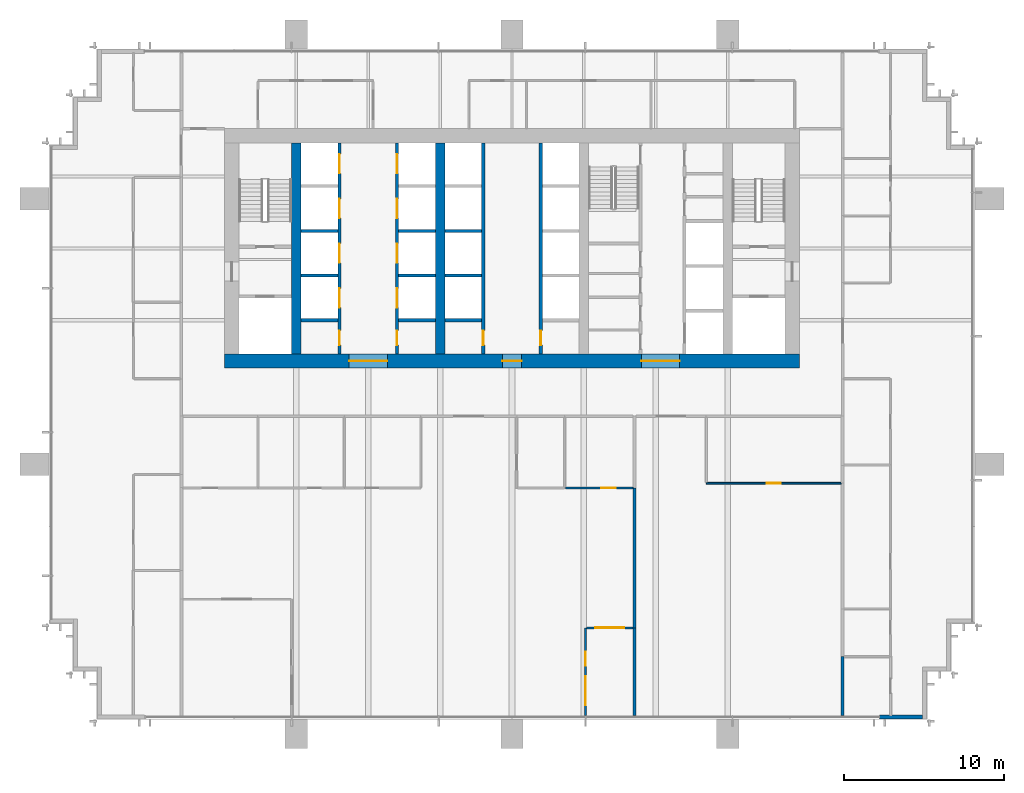
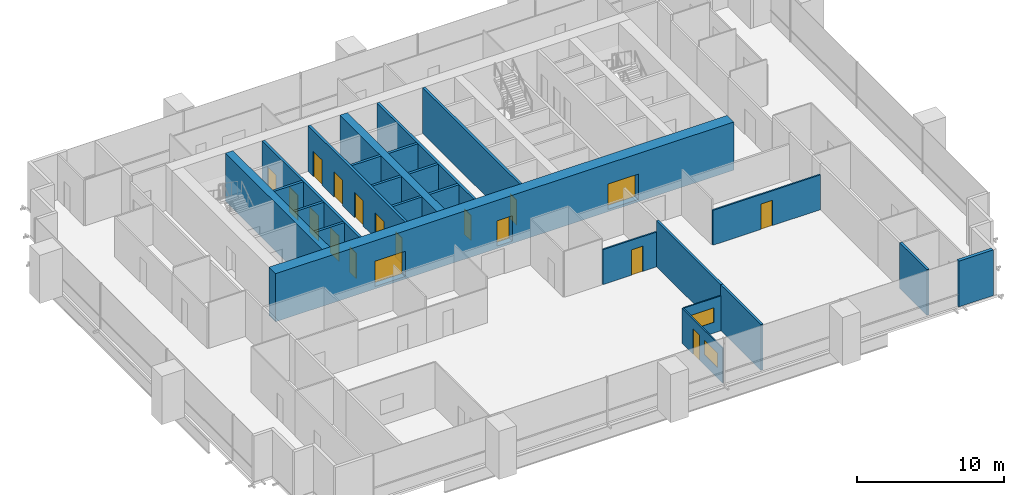
# One storey, part 11 of 16: 24 walls, 18 doors, 2 windows, 20 openings.
"""IFC4 building model written with IfcOpenShell, lengths in metres."""

from ifc_helpers import new_model, si_unit, direction, frame, frame_2d, origin, place, context, subcontext, project, spatial, rectangle, extrude, material, layer, layer_set, type_object, element, fill, save


model = new_model("IFC4")

# Units and contexts
model_context = context("Model", 3, precision=1e-05, world=origin(), true_north=direction((0.0, 1.0)))
body_context = subcontext(model_context, "Body", "Model", "MODEL_VIEW")
ifc_project = project(units=[si_unit("LENGTHUNIT", "METRE"), si_unit("AREAUNIT", "SQUARE_METRE"), si_unit("VOLUMEUNIT", "CUBIC_METRE"), si_unit("PLANEANGLEUNIT", "RADIAN"), si_unit("MASSUNIT", "GRAM", prefix="KILO")], contexts=[model_context])

# Site, building, storey
site_placement = place(None, origin())
site = spatial("IfcSite", under=ifc_project, at=site_placement, CompositionType="ELEMENT")
building_placement = place(site_placement, origin())
building = spatial("IfcBuilding", under=site, at=building_placement, Name="Rattan Terrace Tower", CompositionType="ELEMENT")
storey_placement = place(building_placement, frame((0.0, 0.0, 130.10009765625)))
storey = spatial("IfcBuildingStorey", under=building, at=storey_placement, Name="L29", CompositionType="ELEMENT", Elevation=130.10009765625)

# Wall, openings, doors
ifc_material_1 = material(Name="Concrete C60/75", Category="concrete")
ifc_layer_1 = layer(ifc_material_1, 0.89990234375)
ifc_layer_set_1 = layer_set([ifc_layer_1], Name="Core ring wall 900 C60/75")
wall_type_1 = type_object("IfcWallType", Name="Core ring wall 900 C60/75", PredefinedType="SHEAR", material=ifc_layer_set_1)
wall_1_placement = place(storey_placement, frame((-18.0, -7.050048828125, -0.2001953125), z_axis=(0.0, 0.0, 1.0), x_axis=(1.0, 0.0, 0.0)))
wall_1 = element("IfcWall", 1, at=wall_1_placement, inside=storey, type_object=wall_type_1, Name="Rear core wall south", PredefinedType="SHEAR", context=body_context, shape_type="SweptSolid", body=[
    extrude(rectangle(XDim=36.0, YDim=0.89990234375, at=frame_2d((18.0, 0.0))), origin(), (0.0, 0.0, 1.0), 4.0),
])
opening_1_placement = place(wall_1_placement, frame((7.800048828125, 0.0, 0.199951171875)))
opening_1 = element("IfcOpeningElement", 2, at=opening_1_placement, cuts=wall_1, Name="Opening L29-D007", PredefinedType="OPENING", context=body_context, shape_type="SweptSolid", body=[
    extrude(rectangle(XDim=2.39990234375, YDim=2.10009765625, at=frame_2d((1.199951171875, 1.050048828125))), frame((0.0, 0.46044921875, 0.0), z_axis=(0.0, -1.0, 0.0), x_axis=(1.0, 0.0, 0.0)), (0.0, 0.0, 1.0), 0.9208984375),
])
opening_2_placement = place(wall_1_placement, frame((17.39990234375, 0.0, 0.199951171875)))
opening_2 = element("IfcOpeningElement", 3, at=opening_2_placement, cuts=wall_1, Name="Opening L29-D010", PredefinedType="OPENING", context=body_context, shape_type="SweptSolid", body=[
    extrude(rectangle(XDim=1.199951171875, YDim=2.10009765625, at=frame_2d((0.60009765625, 1.050048828125))), frame((0.0, 0.46044921875, 0.0), z_axis=(0.0, -1.0, 0.0), x_axis=(1.0, 0.0, 0.0)), (0.0, 0.0, 1.0), 0.9208984375),
])
opening_3_placement = place(wall_1_placement, frame((26.10009765625, 0.0, 0.199951171875)))
opening_3 = element("IfcOpeningElement", 4, at=opening_3_placement, cuts=wall_1, Name="Opening L29-D016", PredefinedType="OPENING", context=body_context, shape_type="SweptSolid", body=[
    extrude(rectangle(XDim=2.39990234375, YDim=2.10009765625, at=frame_2d((1.199951171875, 1.050048828125))), frame((0.0, 0.46044921875, 0.0), z_axis=(0.0, -1.0, 0.0), x_axis=(1.0, 0.0, 0.0)), (0.0, 0.0, 1.0), 0.9208984375),
])
ifc_material_2 = material(Name="Hollow-metal fire door leaf")
door_type_1 = type_object("IfcDoorType", Name="Core lift lobby door 2400", OperationType="NOTDEFINED", PredefinedType="DOOR", material=ifc_material_2)
door_1_placement = place(opening_1_placement, origin())
door_1 = element("IfcDoor", 5, at=door_1_placement, inside=storey, type_object=door_type_1, Name="Door L29-D007", OperationType="DOUBLE_DOOR_DOUBLE_SWING", OverallHeight=2.10009765625, OverallWidth=2.39990234375, PredefinedType="DOOR", context=body_context, shape_type="SweptSolid", body=[
    extrude(rectangle(XDim=2.39990234375, YDim=2.10009765625, at=frame_2d((1.199951171875, 1.050048828125))), frame((0.0, 0.02490234375, 0.0), z_axis=(0.0, -1.0, 0.0), x_axis=(1.0, 0.0, 0.0)), (0.0, 0.0, 1.0), 0.050048828125),
])
fill(opening_1, door_1)
door_2_placement = place(opening_3_placement, origin())
door_2 = element("IfcDoor", 6, at=door_2_placement, inside=storey, type_object=door_type_1, Name="Door L29-D016", OperationType="DOUBLE_DOOR_DOUBLE_SWING", OverallHeight=2.10009765625, OverallWidth=2.39990234375, PredefinedType="DOOR", context=body_context, shape_type="SweptSolid", body=[
    extrude(rectangle(XDim=2.39990234375, YDim=2.10009765625, at=frame_2d((1.199951171875, 1.050048828125))), frame((0.0, 0.02490234375, 0.0), z_axis=(0.0, -1.0, 0.0), x_axis=(1.0, 0.0, 0.0)), (0.0, 0.0, 1.0), 0.050048828125),
])
fill(opening_3, door_2)
ifc_material_3 = material(Name="Hollow-metal fire door leaf")
door_type_2 = type_object("IfcDoorType", Name="Core riser door 1200", OperationType="NOTDEFINED", PredefinedType="DOOR", material=ifc_material_3)
door_3_placement = place(opening_2_placement, origin())
door_3 = element("IfcDoor", 7, at=door_3_placement, inside=storey, type_object=door_type_2, Name="Door L29-D010", OperationType="SINGLE_SWING_RIGHT", OverallHeight=2.10009765625, OverallWidth=1.199951171875, PredefinedType="DOOR", context=body_context, shape_type="SweptSolid", body=[
    extrude(rectangle(XDim=1.199951171875, YDim=2.10009765625, at=frame_2d((0.60009765625, 1.050048828125))), frame((0.0, 0.02490234375, 0.0), z_axis=(0.0, -1.0, 0.0), x_axis=(1.0, 0.0, 0.0)), (0.0, 0.0, 1.0), 0.050048828125),
])
fill(opening_2, door_3)

# Walls
ifc_material_4 = material(Name="Concrete C60/75", Category="concrete")
ifc_layer_2 = layer(ifc_material_4, 0.60009765625)
ifc_layer_set_2 = layer_set([ifc_layer_2], Name="Core spine wall 600 C60/75")
wall_type_2 = type_object("IfcWallType", Name="Core spine wall 600 C60/75", PredefinedType="SHEAR", material=ifc_layer_set_2)
for number, where, z_axis, x_axis, name in (
    (8, (-13.5, -6.60009765625, -0.2001953125), (0.0, 0.0, 1.0), (0.0, 1.0, 0.0), "Core spine wall 1"),
    (9, (-4.5, -6.60009765625, -0.2001953125), (0.0, 0.0, 1.0), (0.0, 1.0, 0.0), "Core spine wall 2"),
):
    element("IfcWall", number, at=place(storey_placement, frame(where, z_axis=z_axis, x_axis=x_axis)), inside=storey, type_object=wall_type_2, Name=name, PredefinedType="SHEAR", context=body_context, shape_type="SweptSolid", body=[
        extrude(rectangle(XDim=13.2001953125, YDim=0.60009765625, at=frame_2d((6.60009765625, 0.0))), origin(), (0.0, 0.0, 1.0), 4.0),
    ])
ifc_material_5 = material(Name="Insulated aluminium-clad stud wall", Category="aluminium")
ifc_layer_3 = layer(ifc_material_5, 0.25)
ifc_layer_set_3 = layer_set([ifc_layer_3], Name="Facade Riser Wall 250")
wall_type_3 = type_object("IfcWallType", Name="Facade Riser Wall 250", PredefinedType="SOLIDWALL", material=ifc_layer_set_3)
wall_2_placement = place(storey_placement, frame((23.0, -29.330078125, 0.0), z_axis=(0.0, 0.0, 1.0), x_axis=(1.0, 0.0, 0.0)))
element("IfcWall", 10, at=wall_2_placement, inside=storey, type_object=wall_type_3, Name="Riser wall L29-1", PredefinedType="SOLIDWALL", context=body_context, shape_type="SweptSolid", body=[
    extrude(rectangle(XDim=2.705078125, YDim=0.25, at=frame_2d((1.3525390625, 0.0))), origin(), (0.0, 0.0, 1.0), 3.7998046875),
])
ifc_material_6 = material(Name="Double steel stud acoustic partition, gypsum board, mineral wool, fire rated", Category="steel")
ifc_layer_4 = layer(ifc_material_6, 0.179931640625)
ifc_layer_set_4 = layer_set([ifc_layer_4], Name="Floors Acoustic Party Wall 180")
wall_type_4 = type_object("IfcWallType", Name="Floors Acoustic Party Wall 180", PredefinedType="PARTITIONING", material=ifc_layer_set_4)
wall_3_placement = place(storey_placement, frame((7.6669921875, -15.0, 0.0), z_axis=(0.0, 0.0, 1.0), x_axis=(0.0, -1.0, 0.0)))
element("IfcWall", 11, at=wall_3_placement, inside=storey, type_object=wall_type_4, Name="pt-L29-049", PredefinedType="PARTITIONING", context=body_context, shape_type="SweptSolid", body=[
    extrude(rectangle(XDim=8.760009765625, YDim=0.179931640625, at=frame_2d((4.3798828125, 0.0))), origin(), (0.0, 0.0, 1.0), 3.7998046875),
])
wall_4_placement = place(storey_placement, frame((7.6669921875, -23.760009765625, 0.0), z_axis=(0.0, 0.0, 1.0), x_axis=(0.0, -1.0, 0.0)))
element("IfcWall", 12, at=wall_4_placement, inside=storey, type_object=wall_type_4, Name="pt-L29-050", PredefinedType="PARTITIONING", context=body_context, shape_type="SweptSolid", body=[
    extrude(rectangle(XDim=5.47998046875, YDim=0.179931640625, at=frame_2d((2.739990234375, 0.0))), origin(), (0.0, 0.0, 1.0), 3.7998046875),
])
wall_5_placement = place(storey_placement, frame((20.699951171875, -25.5400390625, 0.0), z_axis=(0.0, 0.0, 1.0), x_axis=(0.0, -1.0, 0.0)))
element("IfcWall", 13, at=wall_5_placement, inside=storey, type_object=wall_type_4, Name="pt-L29-057", PredefinedType="PARTITIONING", context=body_context, shape_type="SweptSolid", body=[
    extrude(rectangle(XDim=3.699951171875, YDim=0.179931640625, at=frame_2d((1.85009765625, 0.0))), origin(), (0.0, 0.0, 1.0), 3.7998046875),
])

# Wall, openings, door, window
ifc_material_7 = material(Name="Gypsum board partition on steel studs", Category="steel")
ifc_layer_5 = layer(ifc_material_7, 0.10009765625)
ifc_layer_set_5 = layer_set([ifc_layer_5], Name="Floors Partition 100")
wall_type_5 = type_object("IfcWallType", Name="Floors Partition 100", PredefinedType="PARTITIONING", material=ifc_layer_set_5)
wall_6_placement = place(storey_placement, frame((4.60009765625, -23.760009765625, 0.0), z_axis=(0.0, 0.0, 1.0), x_axis=(0.0, -1.0, 0.0)))
wall_6 = element("IfcWall", 14, at=wall_6_placement, inside=storey, type_object=wall_type_5, Name="pt-L29-038", PredefinedType="PARTITIONING", context=body_context, shape_type="SweptSolid", body=[
    extrude(rectangle(XDim=5.47998046875, YDim=0.10009765625, at=frame_2d((2.739990234375, 0.0))), origin(), (0.0, 0.0, 1.0), 2.89990234375),
])
opening_4_placement = place(wall_6_placement, frame((1.47412109375, 0.0, 0.0)))
opening_4 = element("IfcOpeningElement", 15, at=opening_4_placement, cuts=wall_6, Name="Opening L29-D107", PredefinedType="OPENING", context=body_context, shape_type="SweptSolid", body=[
    extrude(rectangle(XDim=0.89990234375, YDim=2.10009765625, at=frame_2d((0.449951171875, 1.050048828125))), frame((0.0, 0.060546875, 0.0), z_axis=(0.0, -1.0, 0.0), x_axis=(1.0, 0.0, 0.0)), (0.0, 0.0, 1.0), 0.12109375),
])
opening_5_placement = place(wall_6_placement, frame((3.027099609375, 0.0, 0.89990234375)))
opening_5 = element("IfcOpeningElement", 16, at=opening_5_placement, cuts=wall_6, Name="Opening L29-W100", PredefinedType="OPENING", context=body_context, shape_type="SweptSolid", body=[
    extrude(rectangle(XDim=1.800048828125, YDim=1.199951171875, at=frame_2d((0.89990234375, 0.60009765625))), frame((0.0, 0.060546875, 0.0), z_axis=(0.0, -1.0, 0.0), x_axis=(1.0, 0.0, 0.0)), (0.0, 0.0, 1.0), 0.12109375),
])
ifc_material_8 = material(Name="Solid core timber door, painted", Category="wood")
door_type_3 = type_object("IfcDoorType", Name="Floors Door 900x2100", OperationType="NOTDEFINED", PredefinedType="DOOR", material=ifc_material_8)
door_4_placement = place(opening_4_placement, origin())
door_4 = element("IfcDoor", 17, at=door_4_placement, inside=storey, type_object=door_type_3, Name="d-L29-107", OperationType="SINGLE_SWING_LEFT", OverallHeight=2.10009765625, OverallWidth=0.89990234375, PredefinedType="DOOR", context=body_context, shape_type="SweptSolid", body=[
    extrude(rectangle(XDim=0.89990234375, YDim=2.10009765625, at=frame_2d((0.449951171875, 1.050048828125))), frame((0.0, 0.02490234375, 0.0), z_axis=(0.0, -1.0, 0.0), x_axis=(1.0, 0.0, 0.0)), (0.0, 0.0, 1.0), 0.050048828125),
])
fill(opening_4, door_4)
ifc_material_9 = material(Name="Glass, clear, fixed in aluminium frame", Category="aluminium")
window_type = type_object("IfcWindowType", Name="Interior Vision Window 1800x1200", PartitioningType="SINGLE_PANEL", PredefinedType="WINDOW", material=ifc_material_9)
window_1_placement = place(opening_5_placement, origin())
window_1 = element("IfcWindow", 18, at=window_1_placement, inside=storey, type_object=window_type, Name="w-L29-100", OverallHeight=1.199951171875, OverallWidth=1.800048828125, PartitioningType="SINGLE_PANEL", PredefinedType="WINDOW", context=body_context, shape_type="SweptSolid", body=[
    extrude(rectangle(XDim=1.800048828125, YDim=1.199951171875, at=frame_2d((0.89990234375, 0.60009765625))), frame((0.0, 0.030029296875, 0.0), z_axis=(0.0, -1.0, 0.0), x_axis=(1.0, 0.0, 0.0)), (0.0, 0.0, 1.0), 0.06005859375),
])
fill(opening_5, window_1)

# Wall, opening, window
wall_7_placement = place(storey_placement, frame((7.576904296875, -23.760009765625, 0.0), z_axis=(0.0, 0.0, 1.0), x_axis=(-1.0, 0.0, 0.0)))
wall_7 = element("IfcWall", 19, at=wall_7_placement, inside=storey, type_object=wall_type_5, Name="pt-L29-039", PredefinedType="PARTITIONING", context=body_context, shape_type="SweptSolid", body=[
    extrude(rectangle(XDim=2.927001953125, YDim=0.10009765625, at=frame_2d((1.46337890625, 0.0))), origin(), (0.0, 0.0, 1.0), 2.89990234375),
])
opening_6_placement = place(wall_7_placement, frame((0.56396484375, 0.0, 0.89990234375)))
opening_6 = element("IfcOpeningElement", 20, at=opening_6_placement, cuts=wall_7, Name="Opening L29-W101", PredefinedType="OPENING", context=body_context, shape_type="SweptSolid", body=[
    extrude(rectangle(XDim=1.800048828125, YDim=1.199951171875, at=frame_2d((0.89990234375, 0.60009765625))), frame((0.0, 0.060546875, 0.0), z_axis=(0.0, -1.0, 0.0), x_axis=(1.0, 0.0, 0.0)), (0.0, 0.0, 1.0), 0.12109375),
])
window_2_placement = place(opening_6_placement, origin())
window_2 = element("IfcWindow", 21, at=window_2_placement, inside=storey, type_object=window_type, Name="w-L29-101", OverallHeight=1.199951171875, OverallWidth=1.800048828125, PartitioningType="SINGLE_PANEL", PredefinedType="WINDOW", context=body_context, shape_type="SweptSolid", body=[
    extrude(rectangle(XDim=1.800048828125, YDim=1.199951171875, at=frame_2d((0.89990234375, 0.60009765625))), frame((0.0, 0.030029296875, 0.0), z_axis=(0.0, -1.0, 0.0), x_axis=(1.0, 0.0, 0.0)), (0.0, 0.0, 1.0), 0.06005859375),
])
fill(opening_6, window_2)

# Wall, opening, door
ifc_material_10 = material(Name="Moisture resistant gypsum board partition on steel studs with service cavity", Category="steel")
ifc_layer_6 = layer(ifc_material_10, 0.1201171875)
ifc_layer_set_6 = layer_set([ifc_layer_6], Name="Floors Wet Wall 120")
wall_type_6 = type_object("IfcWallType", Name="Floors Wet Wall 120", PredefinedType="PARTITIONING", material=ifc_layer_set_6)
wall_8_placement = place(storey_placement, frame((3.360107421875, -15.0, 0.0), z_axis=(0.0, 0.0, 1.0), x_axis=(1.0, 0.0, 0.0)))
wall_8 = element("IfcWall", 22, at=wall_8_placement, inside=storey, type_object=wall_type_6, Name="pt-L29-048", PredefinedType="PARTITIONING", context=body_context, shape_type="SweptSolid", body=[
    extrude(rectangle(XDim=4.216796875, YDim=0.1201171875, at=frame_2d((2.1083984375, 0.0))), origin(), (0.0, 0.0, 1.0), 2.89990234375),
])
opening_7_placement = place(wall_8_placement, frame((2.221923828125, 0.0, 0.0)))
opening_7 = element("IfcOpeningElement", 23, at=opening_7_placement, cuts=wall_8, Name="Opening L29-D113", PredefinedType="OPENING", context=body_context, shape_type="SweptSolid", body=[
    extrude(rectangle(XDim=0.89990234375, YDim=2.10009765625, at=frame_2d((0.449951171875, 1.050048828125))), frame((0.0, 0.070556640625, 0.0), z_axis=(0.0, -1.0, 0.0), x_axis=(1.0, 0.0, 0.0)), (0.0, 0.0, 1.0), 0.14111328125),
])
door_5_placement = place(opening_7_placement, origin())
door_5 = element("IfcDoor", 24, at=door_5_placement, inside=storey, type_object=door_type_3, Name="d-L29-113", OperationType="SINGLE_SWING_RIGHT", OverallHeight=2.10009765625, OverallWidth=0.89990234375, PredefinedType="DOOR", context=body_context, shape_type="SweptSolid", body=[
    extrude(rectangle(XDim=0.89990234375, YDim=2.10009765625, at=frame_2d((0.449951171875, 1.050048828125))), frame((0.0, 0.02490234375, 0.0), z_axis=(0.0, -1.0, 0.0), x_axis=(1.0, 0.0, 0.0)), (0.0, 0.0, 1.0), 0.050048828125),
])
fill(opening_7, door_5)

wall_9_placement = place(storey_placement, frame((12.1669921875, -14.699951171875, 0.0), z_axis=(0.0, 0.0, 1.0), x_axis=(1.0, 0.0, 0.0)))
wall_9 = element("IfcWall", 25, at=wall_9_placement, inside=storey, type_object=wall_type_6, Name="pt-L29-056", PredefinedType="PARTITIONING", context=body_context, shape_type="SweptSolid", body=[
    extrude(rectangle(XDim=8.443115234375, YDim=0.1201171875, at=frame_2d((4.2216796875, 0.0))), origin(), (0.0, 0.0, 1.0), 2.89990234375),
])
opening_8_placement = place(wall_9_placement, frame((3.77099609375, 0.0, 0.0)))
opening_8 = element("IfcOpeningElement", 26, at=opening_8_placement, cuts=wall_9, Name="Opening L29-D115", PredefinedType="OPENING", context=body_context, shape_type="SweptSolid", body=[
    extrude(rectangle(XDim=0.89990234375, YDim=2.10009765625, at=frame_2d((0.449951171875, 1.050048828125))), frame((0.0, 0.070556640625, 0.0), z_axis=(0.0, -1.0, 0.0), x_axis=(1.0, 0.0, 0.0)), (0.0, 0.0, 1.0), 0.14111328125),
])
door_6_placement = place(opening_8_placement, origin())
door_6 = element("IfcDoor", 27, at=door_6_placement, inside=storey, type_object=door_type_3, Name="d-L29-115", OperationType="SINGLE_SWING_RIGHT", OverallHeight=2.10009765625, OverallWidth=0.89990234375, PredefinedType="DOOR", context=body_context, shape_type="SweptSolid", body=[
    extrude(rectangle(XDim=0.89990234375, YDim=2.10009765625, at=frame_2d((0.449951171875, 1.050048828125))), frame((0.0, 0.02490234375, 0.0), z_axis=(0.0, -1.0, 0.0), x_axis=(1.0, 0.0, 0.0)), (0.0, 0.0, 1.0), 0.050048828125),
])
fill(opening_8, door_6)

# Wall, openings, doors
ifc_material_11 = material(Name="Gypsum shaft wall system")
ifc_layer_7 = layer(ifc_material_11, 0.199951171875)
ifc_layer_set_7 = layer_set([ifc_layer_7], Name="Lift shaft wall 200")
wall_type_7 = type_object("IfcWallType", Name="Lift shaft wall 200", PredefinedType="PARTITIONING", material=ifc_layer_set_7)
wall_10_placement = place(storey_placement, frame((-10.800048828125, -6.60009765625, 0.0), z_axis=(0.0, 0.0, 1.0), x_axis=(0.0, 1.0, 0.0)))
wall_10 = element("IfcWall", 28, at=wall_10_placement, inside=storey, type_object=wall_type_7, Name="Lift shaft front wall", PredefinedType="PARTITIONING", context=body_context, shape_type="SweptSolid", body=[
    extrude(rectangle(XDim=13.2001953125, YDim=0.199951171875, at=frame_2d((6.60009765625, 0.0))), origin(), (0.0, 0.0, 1.0), 3.7998046875),
])
opening_9_placement = place(wall_10_placement, frame((0.550048828125, 0.0, 0.0)))
opening_9 = element("IfcOpeningElement", 29, at=opening_9_placement, cuts=wall_10, Name="Opening L29-D005", PredefinedType="OPENING", context=body_context, shape_type="SweptSolid", body=[
    extrude(rectangle(XDim=0.89990234375, YDim=2.10009765625, at=frame_2d((0.449951171875, 1.050048828125))), frame((0.0, 0.110595703125, 0.0), z_axis=(0.0, -1.0, 0.0), x_axis=(1.0, 0.0, 0.0)), (0.0, 0.0, 1.0), 0.220947265625),
])
opening_10_placement = place(wall_10_placement, frame((2.89990234375, 0.0, 0.0)))
opening_10 = element("IfcOpeningElement", 30, at=opening_10_placement, cuts=wall_10, Name="Opening L29-LD-LR1", PredefinedType="OPENING", context=body_context, shape_type="SweptSolid", body=[
    extrude(rectangle(XDim=1.199951171875, YDim=2.10009765625, at=frame_2d((0.60009765625, 1.050048828125))), frame((0.0, 0.110595703125, 0.0), z_axis=(0.0, -1.0, 0.0), x_axis=(1.0, 0.0, 0.0)), (0.0, 0.0, 1.0), 0.220947265625),
])
opening_11_placement = place(wall_10_placement, frame((5.699951171875, 0.0, 0.0)))
opening_11 = element("IfcOpeningElement", 31, at=opening_11_placement, cuts=wall_10, Name="Opening L29-LD-LR2", PredefinedType="OPENING", context=body_context, shape_type="SweptSolid", body=[
    extrude(rectangle(XDim=1.199951171875, YDim=2.10009765625, at=frame_2d((0.60009765625, 1.050048828125))), frame((0.0, 0.110595703125, 0.0), z_axis=(0.0, -1.0, 0.0), x_axis=(1.0, 0.0, 0.0)), (0.0, 0.0, 1.0), 0.220947265625),
])
opening_12_placement = place(wall_10_placement, frame((8.5, 0.0, 0.0)))
opening_12 = element("IfcOpeningElement", 32, at=opening_12_placement, cuts=wall_10, Name="Opening L29-LD-LR3", PredefinedType="OPENING", context=body_context, shape_type="SweptSolid", body=[
    extrude(rectangle(XDim=1.199951171875, YDim=2.10009765625, at=frame_2d((0.60009765625, 1.050048828125))), frame((0.0, 0.110595703125, 0.0), z_axis=(0.0, -1.0, 0.0), x_axis=(1.0, 0.0, 0.0)), (0.0, 0.0, 1.0), 0.220947265625),
])
opening_13_placement = place(wall_10_placement, frame((11.300048828125, 0.0, 0.0)))
opening_13 = element("IfcOpeningElement", 33, at=opening_13_placement, cuts=wall_10, Name="Opening L29-LD-LR4", PredefinedType="OPENING", context=body_context, shape_type="SweptSolid", body=[
    extrude(rectangle(XDim=1.199951171875, YDim=2.10009765625, at=frame_2d((0.60009765625, 1.050048828125))), frame((0.0, 0.110595703125, 0.0), z_axis=(0.0, -1.0, 0.0), x_axis=(1.0, 0.0, 0.0)), (0.0, 0.0, 1.0), 0.220947265625),
])
ifc_material_12 = material(Name="Brushed stainless landing door panel")
door_type_4 = type_object("IfcDoorType", Name="Core lift landing door 1200", OperationType="DOUBLE_DOOR_SLIDING", PredefinedType="DOOR", material=ifc_material_12)
door_7_placement = place(opening_10_placement, origin())
door_7 = element("IfcDoor", 34, at=door_7_placement, inside=storey, type_object=door_type_4, Name="Door L29-LD-LR1", OperationType="DOUBLE_DOOR_SLIDING", OverallHeight=2.10009765625, OverallWidth=1.199951171875, PredefinedType="DOOR", context=body_context, shape_type="SweptSolid", body=[
    extrude(rectangle(XDim=1.199951171875, YDim=2.10009765625, at=frame_2d((0.60009765625, 1.050048828125))), frame((0.0, 0.02490234375, 0.0), z_axis=(0.0, -1.0, 0.0), x_axis=(1.0, 0.0, 0.0)), (0.0, 0.0, 1.0), 0.050048828125),
])
fill(opening_10, door_7)
door_8_placement = place(opening_11_placement, origin())
door_8 = element("IfcDoor", 35, at=door_8_placement, inside=storey, type_object=door_type_4, Name="Door L29-LD-LR2", OperationType="DOUBLE_DOOR_SLIDING", OverallHeight=2.10009765625, OverallWidth=1.199951171875, PredefinedType="DOOR", context=body_context, shape_type="SweptSolid", body=[
    extrude(rectangle(XDim=1.199951171875, YDim=2.10009765625, at=frame_2d((0.60009765625, 1.050048828125))), frame((0.0, 0.02490234375, 0.0), z_axis=(0.0, -1.0, 0.0), x_axis=(1.0, 0.0, 0.0)), (0.0, 0.0, 1.0), 0.050048828125),
])
fill(opening_11, door_8)
door_9_placement = place(opening_12_placement, origin())
door_9 = element("IfcDoor", 36, at=door_9_placement, inside=storey, type_object=door_type_4, Name="Door L29-LD-LR3", OperationType="DOUBLE_DOOR_SLIDING", OverallHeight=2.10009765625, OverallWidth=1.199951171875, PredefinedType="DOOR", context=body_context, shape_type="SweptSolid", body=[
    extrude(rectangle(XDim=1.199951171875, YDim=2.10009765625, at=frame_2d((0.60009765625, 1.050048828125))), frame((0.0, 0.02490234375, 0.0), z_axis=(0.0, -1.0, 0.0), x_axis=(1.0, 0.0, 0.0)), (0.0, 0.0, 1.0), 0.050048828125),
])
fill(opening_12, door_9)
door_10_placement = place(opening_13_placement, origin())
door_10 = element("IfcDoor", 37, at=door_10_placement, inside=storey, type_object=door_type_4, Name="Door L29-LD-LR4", OperationType="DOUBLE_DOOR_SLIDING", OverallHeight=2.10009765625, OverallWidth=1.199951171875, PredefinedType="DOOR", context=body_context, shape_type="SweptSolid", body=[
    extrude(rectangle(XDim=1.199951171875, YDim=2.10009765625, at=frame_2d((0.60009765625, 1.050048828125))), frame((0.0, 0.02490234375, 0.0), z_axis=(0.0, -1.0, 0.0), x_axis=(1.0, 0.0, 0.0)), (0.0, 0.0, 1.0), 0.050048828125),
])
fill(opening_13, door_10)
ifc_material_13 = material(Name="Hollow-metal fire door leaf")
door_type_5 = type_object("IfcDoorType", Name="Core riser door 900", OperationType="NOTDEFINED", PredefinedType="DOOR", material=ifc_material_13)
door_11_placement = place(opening_9_placement, origin())
door_11 = element("IfcDoor", 38, at=door_11_placement, inside=storey, type_object=door_type_5, Name="Door L29-D005", OperationType="SINGLE_SWING_RIGHT", OverallHeight=2.10009765625, OverallWidth=0.89990234375, PredefinedType="DOOR", context=body_context, shape_type="SweptSolid", body=[
    extrude(rectangle(XDim=0.89990234375, YDim=2.10009765625, at=frame_2d((0.449951171875, 1.050048828125))), frame((0.0, 0.02490234375, 0.0), z_axis=(0.0, -1.0, 0.0), x_axis=(1.0, 0.0, 0.0)), (0.0, 0.0, 1.0), 0.050048828125),
])
fill(opening_9, door_11)

wall_11_placement = place(storey_placement, frame((-7.199951171875, -6.60009765625, 0.0), z_axis=(0.0, 0.0, 1.0), x_axis=(0.0, 1.0, 0.0)))
wall_11 = element("IfcWall", 39, at=wall_11_placement, inside=storey, type_object=wall_type_7, Name="Lift shaft front wall", PredefinedType="PARTITIONING", context=body_context, shape_type="SweptSolid", body=[
    extrude(rectangle(XDim=13.2001953125, YDim=0.199951171875, at=frame_2d((6.60009765625, 0.0))), origin(), (0.0, 0.0, 1.0), 3.7998046875),
])
opening_14_placement = place(wall_11_placement, frame((0.550048828125, 0.0, 0.0)))
opening_14 = element("IfcOpeningElement", 40, at=opening_14_placement, cuts=wall_11, Name="Opening L29-D006", PredefinedType="OPENING", context=body_context, shape_type="SweptSolid", body=[
    extrude(rectangle(XDim=0.89990234375, YDim=2.10009765625, at=frame_2d((0.449951171875, 1.050048828125))), frame((0.0, 0.110595703125, 0.0), z_axis=(0.0, -1.0, 0.0), x_axis=(1.0, 0.0, 0.0)), (0.0, 0.0, 1.0), 0.220947265625),
])
opening_15_placement = place(wall_11_placement, frame((2.89990234375, 0.0, 0.0)))
opening_15 = element("IfcOpeningElement", 41, at=opening_15_placement, cuts=wall_11, Name="Opening L29-LD-LR5", PredefinedType="OPENING", context=body_context, shape_type="SweptSolid", body=[
    extrude(rectangle(XDim=1.199951171875, YDim=2.10009765625, at=frame_2d((0.60009765625, 1.050048828125))), frame((0.0, 0.110595703125, 0.0), z_axis=(0.0, -1.0, 0.0), x_axis=(1.0, 0.0, 0.0)), (0.0, 0.0, 1.0), 0.220947265625),
])
opening_16_placement = place(wall_11_placement, frame((5.699951171875, 0.0, 0.0)))
opening_16 = element("IfcOpeningElement", 42, at=opening_16_placement, cuts=wall_11, Name="Opening L29-LD-LR6", PredefinedType="OPENING", context=body_context, shape_type="SweptSolid", body=[
    extrude(rectangle(XDim=1.199951171875, YDim=2.10009765625, at=frame_2d((0.60009765625, 1.050048828125))), frame((0.0, 0.110595703125, 0.0), z_axis=(0.0, -1.0, 0.0), x_axis=(1.0, 0.0, 0.0)), (0.0, 0.0, 1.0), 0.220947265625),
])
opening_17_placement = place(wall_11_placement, frame((8.5, 0.0, 0.0)))
opening_17 = element("IfcOpeningElement", 43, at=opening_17_placement, cuts=wall_11, Name="Opening L29-LD-LR7", PredefinedType="OPENING", context=body_context, shape_type="SweptSolid", body=[
    extrude(rectangle(XDim=1.199951171875, YDim=2.10009765625, at=frame_2d((0.60009765625, 1.050048828125))), frame((0.0, 0.110595703125, 0.0), z_axis=(0.0, -1.0, 0.0), x_axis=(1.0, 0.0, 0.0)), (0.0, 0.0, 1.0), 0.220947265625),
])
opening_18_placement = place(wall_11_placement, frame((11.300048828125, 0.0, 0.0)))
opening_18 = element("IfcOpeningElement", 44, at=opening_18_placement, cuts=wall_11, Name="Opening L29-LD-LR8", PredefinedType="OPENING", context=body_context, shape_type="SweptSolid", body=[
    extrude(rectangle(XDim=1.199951171875, YDim=2.10009765625, at=frame_2d((0.60009765625, 1.050048828125))), frame((0.0, 0.110595703125, 0.0), z_axis=(0.0, -1.0, 0.0), x_axis=(1.0, 0.0, 0.0)), (0.0, 0.0, 1.0), 0.220947265625),
])
door_12_placement = place(opening_15_placement, origin())
door_12 = element("IfcDoor", 45, at=door_12_placement, inside=storey, type_object=door_type_4, Name="Door L29-LD-LR5", OperationType="DOUBLE_DOOR_SLIDING", OverallHeight=2.10009765625, OverallWidth=1.199951171875, PredefinedType="DOOR", context=body_context, shape_type="SweptSolid", body=[
    extrude(rectangle(XDim=1.199951171875, YDim=2.10009765625, at=frame_2d((0.60009765625, 1.050048828125))), frame((0.0, 0.02490234375, 0.0), z_axis=(0.0, -1.0, 0.0), x_axis=(1.0, 0.0, 0.0)), (0.0, 0.0, 1.0), 0.050048828125),
])
fill(opening_15, door_12)
door_13_placement = place(opening_16_placement, origin())
door_13 = element("IfcDoor", 46, at=door_13_placement, inside=storey, type_object=door_type_4, Name="Door L29-LD-LR6", OperationType="DOUBLE_DOOR_SLIDING", OverallHeight=2.10009765625, OverallWidth=1.199951171875, PredefinedType="DOOR", context=body_context, shape_type="SweptSolid", body=[
    extrude(rectangle(XDim=1.199951171875, YDim=2.10009765625, at=frame_2d((0.60009765625, 1.050048828125))), frame((0.0, 0.02490234375, 0.0), z_axis=(0.0, -1.0, 0.0), x_axis=(1.0, 0.0, 0.0)), (0.0, 0.0, 1.0), 0.050048828125),
])
fill(opening_16, door_13)
door_14_placement = place(opening_17_placement, origin())
door_14 = element("IfcDoor", 47, at=door_14_placement, inside=storey, type_object=door_type_4, Name="Door L29-LD-LR7", OperationType="DOUBLE_DOOR_SLIDING", OverallHeight=2.10009765625, OverallWidth=1.199951171875, PredefinedType="DOOR", context=body_context, shape_type="SweptSolid", body=[
    extrude(rectangle(XDim=1.199951171875, YDim=2.10009765625, at=frame_2d((0.60009765625, 1.050048828125))), frame((0.0, 0.02490234375, 0.0), z_axis=(0.0, -1.0, 0.0), x_axis=(1.0, 0.0, 0.0)), (0.0, 0.0, 1.0), 0.050048828125),
])
fill(opening_17, door_14)
door_15_placement = place(opening_18_placement, origin())
door_15 = element("IfcDoor", 48, at=door_15_placement, inside=storey, type_object=door_type_4, Name="Door L29-LD-LR8", OperationType="DOUBLE_DOOR_SLIDING", OverallHeight=2.10009765625, OverallWidth=1.199951171875, PredefinedType="DOOR", context=body_context, shape_type="SweptSolid", body=[
    extrude(rectangle(XDim=1.199951171875, YDim=2.10009765625, at=frame_2d((0.60009765625, 1.050048828125))), frame((0.0, 0.02490234375, 0.0), z_axis=(0.0, -1.0, 0.0), x_axis=(1.0, 0.0, 0.0)), (0.0, 0.0, 1.0), 0.050048828125),
])
fill(opening_18, door_15)
door_16_placement = place(opening_14_placement, origin())
door_16 = element("IfcDoor", 49, at=door_16_placement, inside=storey, type_object=door_type_5, Name="Door L29-D006", OperationType="SINGLE_SWING_LEFT", OverallHeight=2.10009765625, OverallWidth=0.89990234375, PredefinedType="DOOR", context=body_context, shape_type="SweptSolid", body=[
    extrude(rectangle(XDim=0.89990234375, YDim=2.10009765625, at=frame_2d((0.449951171875, 1.050048828125))), frame((0.0, 0.02490234375, 0.0), z_axis=(0.0, -1.0, 0.0), x_axis=(1.0, 0.0, 0.0)), (0.0, 0.0, 1.0), 0.050048828125),
])
fill(opening_14, door_16)

# Walls
for number, where, z_axis, x_axis, name in (
    (50, (-13.199951171875, -1.699951171875, 0.0), (0.0, 0.0, 1.0), (1.0, 0.0, 0.0), "Lift shaft wall"),
    (51, (-13.199951171875, 1.10009765625, 0.0), (0.0, 0.0, 1.0), (1.0, 0.0, 0.0), "Lift shaft wall"),
    (52, (-13.199951171875, -4.5, 0.0), (0.0, 0.0, 1.0), (1.0, 0.0, 0.0), "Lift shaft wall"),
    (53, (-7.10009765625, -1.699951171875, 0.0), (0.0, 0.0, 1.0), (1.0, 0.0, 0.0), "Lift shaft wall"),
    (54, (-7.10009765625, 1.10009765625, 0.0), (0.0, 0.0, 1.0), (1.0, 0.0, 0.0), "Lift shaft wall"),
    (55, (-7.10009765625, -4.5, 0.0), (0.0, 0.0, 1.0), (1.0, 0.0, 0.0), "Lift shaft wall"),
):
    element("IfcWall", number, at=place(storey_placement, frame(where, z_axis=z_axis, x_axis=x_axis)), inside=storey, type_object=wall_type_7, Name=name, PredefinedType="PARTITIONING", context=body_context, shape_type="SweptSolid", body=[
        extrude(rectangle(XDim=2.300048828125, YDim=0.199951171875, at=frame_2d((1.14990234375, 0.0))), origin(), (0.0, 0.0, 1.0), 3.7998046875),
    ])

# Wall, opening, door
wall_12_placement = place(storey_placement, frame((-1.800048828125, -6.60009765625, 0.0), z_axis=(0.0, 0.0, 1.0), x_axis=(0.0, 1.0, 0.0)))
wall_12 = element("IfcWall", 56, at=wall_12_placement, inside=storey, type_object=wall_type_7, Name="Lift shaft front wall", PredefinedType="PARTITIONING", context=body_context, shape_type="SweptSolid", body=[
    extrude(rectangle(XDim=13.2001953125, YDim=0.199951171875, at=frame_2d((6.60009765625, 0.0))), origin(), (0.0, 0.0, 1.0), 3.7998046875),
])
opening_19_placement = place(wall_12_placement, frame((0.550048828125, 0.0, 0.0)))
opening_19 = element("IfcOpeningElement", 57, at=opening_19_placement, cuts=wall_12, Name="Opening L29-D008", PredefinedType="OPENING", context=body_context, shape_type="SweptSolid", body=[
    extrude(rectangle(XDim=0.89990234375, YDim=2.10009765625, at=frame_2d((0.449951171875, 1.050048828125))), frame((0.0, 0.110595703125, 0.0), z_axis=(0.0, -1.0, 0.0), x_axis=(1.0, 0.0, 0.0)), (0.0, 0.0, 1.0), 0.220947265625),
])
door_17_placement = place(opening_19_placement, origin())
door_17 = element("IfcDoor", 58, at=door_17_placement, inside=storey, type_object=door_type_5, Name="Door L29-D008", OperationType="SINGLE_SWING_RIGHT", OverallHeight=2.10009765625, OverallWidth=0.89990234375, PredefinedType="DOOR", context=body_context, shape_type="SweptSolid", body=[
    extrude(rectangle(XDim=0.89990234375, YDim=2.10009765625, at=frame_2d((0.449951171875, 1.050048828125))), frame((0.0, 0.02490234375, 0.0), z_axis=(0.0, -1.0, 0.0), x_axis=(1.0, 0.0, 0.0)), (0.0, 0.0, 1.0), 0.050048828125),
])
fill(opening_19, door_17)

wall_13_placement = place(storey_placement, frame((1.800048828125, -6.60009765625, 0.0), z_axis=(0.0, 0.0, 1.0), x_axis=(0.0, 1.0, 0.0)))
wall_13 = element("IfcWall", 59, at=wall_13_placement, inside=storey, type_object=wall_type_7, Name="Lift shaft front wall", PredefinedType="PARTITIONING", context=body_context, shape_type="SweptSolid", body=[
    extrude(rectangle(XDim=13.2001953125, YDim=0.199951171875, at=frame_2d((6.60009765625, 0.0))), origin(), (0.0, 0.0, 1.0), 3.7998046875),
])
opening_20_placement = place(wall_13_placement, frame((0.550048828125, 0.0, 0.0)))
opening_20 = element("IfcOpeningElement", 60, at=opening_20_placement, cuts=wall_13, Name="Opening L29-D009", PredefinedType="OPENING", context=body_context, shape_type="SweptSolid", body=[
    extrude(rectangle(XDim=0.89990234375, YDim=2.10009765625, at=frame_2d((0.449951171875, 1.050048828125))), frame((0.0, 0.110595703125, 0.0), z_axis=(0.0, -1.0, 0.0), x_axis=(1.0, 0.0, 0.0)), (0.0, 0.0, 1.0), 0.220947265625),
])
door_18_placement = place(opening_20_placement, origin())
door_18 = element("IfcDoor", 61, at=door_18_placement, inside=storey, type_object=door_type_5, Name="Door L29-D009", OperationType="SINGLE_SWING_LEFT", OverallHeight=2.10009765625, OverallWidth=0.89990234375, PredefinedType="DOOR", context=body_context, shape_type="SweptSolid", body=[
    extrude(rectangle(XDim=0.89990234375, YDim=2.10009765625, at=frame_2d((0.449951171875, 1.050048828125))), frame((0.0, 0.02490234375, 0.0), z_axis=(0.0, -1.0, 0.0), x_axis=(1.0, 0.0, 0.0)), (0.0, 0.0, 1.0), 0.050048828125),
])
fill(opening_20, door_18)

# Walls
for number, where, z_axis, x_axis, name in (
    (62, (-4.199951171875, -1.699951171875, 0.0), (0.0, 0.0, 1.0), (1.0, 0.0, 0.0), "Lift shaft wall"),
    (63, (-4.199951171875, 1.10009765625, 0.0), (0.0, 0.0, 1.0), (1.0, 0.0, 0.0), "Lift shaft wall"),
    (64, (-4.199951171875, -4.5, 0.0), (0.0, 0.0, 1.0), (1.0, 0.0, 0.0), "Lift shaft wall"),
):
    element("IfcWall", number, at=place(storey_placement, frame(where, z_axis=z_axis, x_axis=x_axis)), inside=storey, type_object=wall_type_7, Name=name, PredefinedType="PARTITIONING", context=body_context, shape_type="SweptSolid", body=[
        extrude(rectangle(XDim=2.300048828125, YDim=0.199951171875, at=frame_2d((1.14990234375, 0.0))), origin(), (0.0, 0.0, 1.0), 3.7998046875),
    ])

save(model, "model.ifc")
